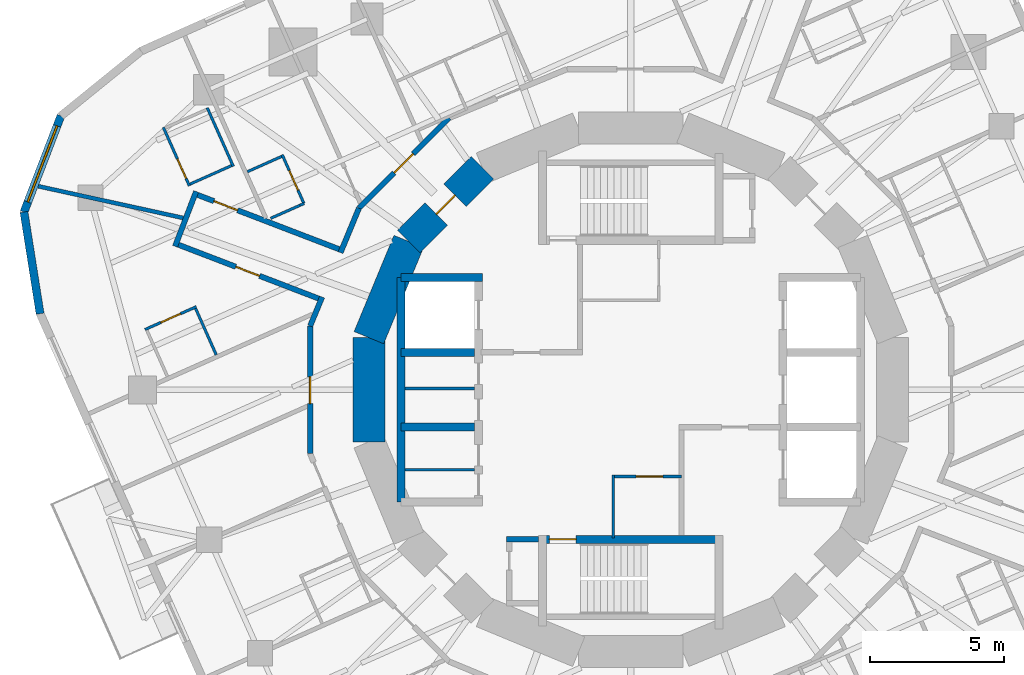
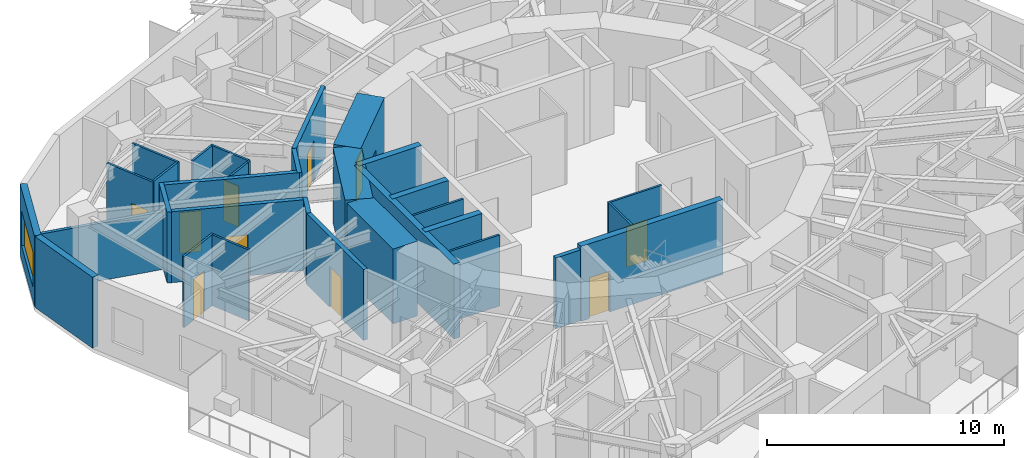
# One storey, part 6 of 12: 32 walls, 10 doors, 1 window, 11 openings.
"""IFC4 building model written with IfcOpenShell, lengths in metres."""

import ifcopenshell
import ifcopenshell.guid

model = None  # the IFC model being written
_history = None  # IfcOwnerHistory: only IFC2X3 demands one
_inside = {}  # id of a spatial element -> (the spatial element, [elements in it])
_under = {}  # id of a project, library or spatial element -> (it, [spatial elements below it])
_declared = {}  # id of a project -> (the project, [libraries it declares])
_typed = {}  # id of a type object -> (the type object, [elements of that type])
_made_of = {}  # id of a material, layer set ... -> (it, [elements and type objects made of it])


def new_model(schema):
    """Start an empty IFC model of exactly this schema.

    Asked for "IFC4X3", IfcOpenShell would pick the latest addendum, in which some entities
    have other attributes; the version numbers below select the first issue.
    IFC2X3 requires an IfcOwnerHistory on every rooted entity: one is made here for all.
    """
    global model, _history
    if schema == "IFC4X3":
        model = ifcopenshell.file(schema_version=(4, 3, 0, 0))
    else:
        model = ifcopenshell.file(schema=schema)
    _inside.clear()
    _under.clear()
    _declared.clear()
    _typed.clear()
    _made_of.clear()
    _history = None
    if model.schema == "IFC2X3":
        org = make("IfcOrganization", Name="unknown")
        user = make(
            "IfcPersonAndOrganization",
            ThePerson=make("IfcPerson", FamilyName="unknown"),
            TheOrganization=org,
        )
        app = make(
            "IfcApplication",
            ApplicationDeveloper=org,
            Version="unknown",
            ApplicationFullName="unknown",
            ApplicationIdentifier="unknown",
        )
        _history = make(
            "IfcOwnerHistory",
            OwningUser=user,
            OwningApplication=app,
            ChangeAction="ADDED",
            CreationDate=0,
        )
    return model


def make(cls, **values):
    """One entity of the class cls with the attributes given. An attribute that is None is left unset."""
    return model.create_entity(
        cls, **{name: value for name, value in values.items() if value is not None}
    )


def rooted(cls, **values):
    """An entity with a GlobalId (a new one), such as an element, a storey or a relation."""
    return make(cls, GlobalId=ifcopenshell.guid.new(), OwnerHistory=_history, **values)


def si_unit(unit_type, name, prefix=None):
    """IfcSIUnit, for example si_unit("LENGTHUNIT", "METRE", prefix="MILLI")."""
    return make("IfcSIUnit", UnitType=unit_type, Prefix=prefix, Name=name)


def assignment(units):
    """IfcUnitAssignment: the units of a project."""
    return None if units is None else make("IfcUnitAssignment", Units=units)


def point(xyz):
    """IfcCartesianPoint."""
    return None if xyz is None else make("IfcCartesianPoint", Coordinates=xyz)


def direction(xyz):
    """IfcDirection."""
    return None if xyz is None else make("IfcDirection", DirectionRatios=xyz)


def frame(location, z_axis=None, x_axis=None):
    """IfcAxis2Placement3D, a coordinate frame: its origin and axes. An axis left out is left unset."""
    return make(
        "IfcAxis2Placement3D",
        Location=point(location),
        Axis=direction(z_axis),
        RefDirection=direction(x_axis),
    )


def frame_2d(location, x_axis=None):
    """IfcAxis2Placement2D, a coordinate frame in the plane: its origin and x axis."""
    return make(
        "IfcAxis2Placement2D", Location=point(location), RefDirection=direction(x_axis)
    )


def origin():
    """The frame at (0, 0, 0) with its axes left unset."""
    return frame((0.0, 0.0, 0.0))


def place(relative_to, where):
    """IfcLocalPlacement: puts the frame where relative to a parent placement (None: the world)."""
    return make(
        "IfcLocalPlacement", PlacementRelTo=relative_to, RelativePlacement=where
    )


def context(
    kind, dimensions, precision=None, world=None, true_north=None, identifier=None
):
    """IfcGeometricRepresentationContext, for example the 3D "Model" context."""
    return make(
        "IfcGeometricRepresentationContext",
        ContextIdentifier=identifier,
        ContextType=kind,
        CoordinateSpaceDimension=dimensions,
        Precision=precision,
        WorldCoordinateSystem=world,
        TrueNorth=true_north,
    )


def subcontext(parent, identifier, kind, view, scale=None):
    """IfcGeometricRepresentationSubContext, for example "Body" below "Model"."""
    return make(
        "IfcGeometricRepresentationSubContext",
        ContextIdentifier=identifier,
        ContextType=kind,
        ParentContext=parent,
        TargetScale=scale,
        TargetView=view,
    )


def project(units=None, contexts=None):
    """IfcProject with its units and contexts."""
    return rooted(
        "IfcProject",
        Name="project",
        RepresentationContexts=contexts,
        UnitsInContext=assignment(units),
    )


def spatial(cls, under=None, at=None, **own):
    """A site, building, storey or space (cls), placed at a placement, below another one or the project."""
    s = rooted(cls, ObjectPlacement=at, **own)
    if under is not None:
        _under.setdefault(under.id(), (under, []))[1].append(s)
    return s


def profile(cls, at=None, kind="AREA", **sizes):
    """A parametric profile (cls). Its sizes go by their IFC names, for example OverallWidth=200.0."""
    return make(cls, ProfileType=kind, Position=at, **sizes)


def rectangle(**sizes):
    """IfcRectangleProfileDef."""
    return profile("IfcRectangleProfileDef", **sizes)


def extrude(swept, where, along, depth):
    """IfcExtrudedAreaSolid: the profile swept, set in the frame where, extruded along a direction by depth."""
    return make(
        "IfcExtrudedAreaSolid",
        SweptArea=swept,
        Position=where,
        ExtrudedDirection=direction(along),
        Depth=depth,
    )


def shape(context_of_items, identifier, shape_type, items):
    """IfcShapeRepresentation: the items that make up one representation, for example the "Body"."""
    return make(
        "IfcShapeRepresentation",
        ContextOfItems=context_of_items,
        RepresentationIdentifier=identifier,
        RepresentationType=shape_type,
        Items=items,
    )


def material(Name=None, Category=None):
    """IfcMaterial."""
    return make("IfcMaterial", Name=Name, Category=Category)


def layer(
    of_material, thickness, ventilated=None, Name=None, Category=None, Priority=None
):
    """IfcMaterialLayer: one layer of a wall or slab, of a material (None: an air gap)."""
    return make(
        "IfcMaterialLayer",
        Material=of_material,
        LayerThickness=thickness,
        IsVentilated=ventilated,
        Name=Name,
        Category=Category,
        Priority=Priority,
    )


def layer_set(layers, Name=None):
    """IfcMaterialLayerSet."""
    return make("IfcMaterialLayerSet", MaterialLayers=layers, LayerSetName=Name)


def made_of(thing, what):
    """Note that an element or type object is made of a material, layer set ...; save() writes the relation."""
    if what is not None:
        _made_of.setdefault(what.id(), (what, []))[1].append(thing)
    return thing


def type_object(cls, material=None, **own):
    """A type object (cls), such as IfcWallType, which elements share."""
    return made_of(rooted(cls, **own), material)


def element(
    cls,
    number,
    at=None,
    inside=None,
    cuts=None,
    type_object=None,
    material=None,
    context=None,
    identifier="Body",
    shape_type=None,
    held_by="IfcProductDefinitionShape",
    body=None,
    shapes=None,
    **own,
):
    """One element of the class cls, such as IfcWall. Its Tag is "e" and its number.

    at: its placement. inside: the storey or other place that contains it. cuts: it is an
    opening in that element (IfcRelVoidsElement). A single representation is given by context,
    identifier, shape_type and body (its items); several are given by shapes. held_by: the class
    of the entity that holds the representations. save() writes the other relations.
    """
    e = rooted(cls, Tag="e%d" % number, ObjectPlacement=at, **own)
    if body is not None:
        shapes = [shape(context, identifier, shape_type, body)]
    if shapes is not None:
        e.Representation = make(held_by, Representations=shapes)
    if inside is not None:
        _inside.setdefault(inside.id(), (inside, []))[1].append(e)
    if cuts is not None:
        rooted(
            "IfcRelVoidsElement", RelatingBuildingElement=cuts, RelatedOpeningElement=e
        )
    if type_object is not None:
        _typed.setdefault(type_object.id(), (type_object, []))[1].append(e)
    return made_of(e, material)


def fill(opening, filler):
    """IfcRelFillsElement: the door or window that sits in an opening."""
    return rooted(
        "IfcRelFillsElement",
        RelatingOpeningElement=opening,
        RelatedBuildingElement=filler,
    )


def aggregate(whole, parts):
    """IfcRelAggregates: a whole, such as a stair, and the parts it consists of."""
    return rooted("IfcRelAggregates", RelatingObject=whole, RelatedObjects=parts)


def save(model, path):
    """Write the relations noted so far, then the file.

    IfcRelAggregates (storeys below a building ...), IfcRelContainedInSpatialStructure (elements
    in a storey), IfcRelDefinesByType, IfcRelAssociatesMaterial and IfcRelDeclares: one each for
    every whole, place, type object, material and project.
    """
    for whole, parts in _under.values():
        aggregate(whole, parts)
    for where, things in _inside.values():
        rooted(
            "IfcRelContainedInSpatialStructure",
            RelatedElements=things,
            RelatingStructure=where,
        )
    for kind, things in _typed.values():
        rooted("IfcRelDefinesByType", RelatedObjects=things, RelatingType=kind)
    for what, things in _made_of.values():
        rooted("IfcRelAssociatesMaterial", RelatedObjects=things, RelatingMaterial=what)
    for by, libraries in _declared.values():
        rooted("IfcRelDeclares", RelatingContext=by, RelatedDefinitions=libraries)
    model.write(path)


model = new_model("IFC4")

# Units and contexts
model_context = context("Model", 3, precision=1e-05, world=origin(), true_north=direction((0.0, 1.0)))
body_context = subcontext(model_context, "Body", "Model", "MODEL_VIEW")
ifc_project = project(units=[si_unit("LENGTHUNIT", "METRE"), si_unit("AREAUNIT", "SQUARE_METRE"), si_unit("VOLUMEUNIT", "CUBIC_METRE"), si_unit("PLANEANGLEUNIT", "RADIAN"), si_unit("MASSUNIT", "GRAM", prefix="KILO")], contexts=[model_context])

# Site, building, storey
site_placement = place(None, origin())
site = spatial("IfcSite", under=ifc_project, at=site_placement, CompositionType="ELEMENT")
building_placement = place(site_placement, origin())
building = spatial("IfcBuilding", under=site, at=building_placement, Name="Nakasero Lantern House", CompositionType="ELEMENT")
storey_placement = place(building_placement, frame((0.0, 0.0, 205.550048828125)))
storey = spatial("IfcBuildingStorey", under=building, at=storey_placement, Name="L50", CompositionType="ELEMENT", Elevation=205.550048828125)

# Walls
ifc_material_1 = material(Name="Concrete C50/60", Category="concrete")
ifc_layer_1 = layer(ifc_material_1, 0.300048828125)
ifc_layer_set_1 = layer_set([ifc_layer_1], Name="Core inner wall 300")
wall_type_1 = type_object("IfcWallType", Name="Core inner wall 300", PredefinedType="SHEAR", material=ifc_layer_set_1)
wall_1_placement = place(storey_placement, frame((-8.60009765625, 4.199951171875, 0.0), z_axis=(0.0, 0.0, 1.0), x_axis=(1.0, 0.0, 0.0)))
element("IfcWall", 1, at=wall_1_placement, inside=storey, type_object=wall_type_1, Name="Core inner wall L50 LWN", PredefinedType="SHEAR", context=body_context, shape_type="SweptSolid", body=[
    extrude(rectangle(XDim=3.050048828125, YDim=0.300048828125, at=frame_2d((1.52490234375, 0.0))), origin(), (0.0, 0.0, 1.0), 3.849853515625),
])
wall_2_placement = place(storey_placement, frame((-8.60009765625, -4.199951171875, 0.0), z_axis=(0.0, 0.0, 1.0), x_axis=(0.0, 1.0, 0.0)))
element("IfcWall", 2, at=wall_2_placement, inside=storey, type_object=wall_type_1, Name="Core inner wall L50 LWB", PredefinedType="SHEAR", context=body_context, shape_type="SweptSolid", body=[
    extrude(rectangle(XDim=8.39990234375, YDim=0.300048828125, at=frame_2d((4.199951171875, 0.0))), origin(), (0.0, 0.0, 1.0), 3.849853515625),
])
for number, where, z_axis, x_axis, name in (
    (3, (-8.60009765625, -1.39990234375, 0.0), (0.0, 0.0, 1.0), (1.0, 0.0, 0.0), "Core inner wall L50 LW1"),
    (4, (-8.60009765625, 1.39990234375, 0.0), (0.0, 0.0, 1.0), (1.0, 0.0, 0.0), "Core inner wall L50 LW2"),
):
    element("IfcWall", number, at=place(storey_placement, frame(where, z_axis=z_axis, x_axis=x_axis)), inside=storey, type_object=wall_type_1, Name=name, PredefinedType="SHEAR", context=body_context, shape_type="SweptSolid", body=[
        extrude(rectangle(XDim=2.75, YDim=0.300048828125, at=frame_2d((1.375, 0.0))), origin(), (0.0, 0.0, 1.0), 3.849853515625),
    ])

# Wall, opening, door
wall_3_placement = place(storey_placement, frame((-3.449951171875, -5.60009765625, 0.0), z_axis=(0.0, 0.0, 1.0), x_axis=(1.0, 0.0, 0.0)))
wall_3 = element("IfcWall", 5, at=wall_3_placement, inside=storey, type_object=wall_type_1, Name="Core inner wall L50 SS", PredefinedType="SHEAR", context=body_context, shape_type="SweptSolid", body=[
    extrude(rectangle(XDim=6.89990234375, YDim=0.300048828125, at=frame_2d((3.449951171875, 0.0))), origin(), (0.0, 0.0, 1.0), 3.849853515625),
])
opening_1_placement = place(wall_3_placement, frame((0.39990234375, 0.0, 0.0)))
opening_1 = element("IfcOpeningElement", 6, at=opening_1_placement, cuts=wall_3, Name="Opening D05", PredefinedType="OPENING", context=body_context, shape_type="SweptSolid", body=[
    extrude(rectangle(XDim=1.0, YDim=2.10009765625, at=frame_2d((0.5, 1.050048828125))), frame((0.0, 0.169921875, 0.0), z_axis=(0.0, -1.0, 0.0), x_axis=(1.0, 0.0, 0.0)), (0.0, 0.0, 1.0), 0.340087890625),
])
ifc_material_2 = material(Name="Timber C24", Category="wood")
door_type_1 = type_object("IfcDoorType", Name="Core door FD60S 1000", OperationType="SINGLE_SWING_LEFT", PredefinedType="DOOR", material=ifc_material_2)
door_1_placement = place(opening_1_placement, origin())
door_1 = element("IfcDoor", 7, at=door_1_placement, inside=storey, type_object=door_type_1, Name="Door L50 D-ST2", OperationType="SINGLE_SWING_LEFT", OverallHeight=2.10009765625, OverallWidth=1.0, PredefinedType="DOOR", context=body_context, shape_type="SweptSolid", body=[
    extrude(rectangle(XDim=1.0, YDim=2.10009765625, at=frame_2d((0.5, 1.050048828125))), frame((0.0, 0.02490234375, 0.0), z_axis=(0.0, -1.0, 0.0), x_axis=(1.0, 0.0, 0.0)), (0.0, 0.0, 1.0), 0.050048828125),
])
fill(opening_1, door_1)

ifc_material_3 = material(Name="Blockwork", Category="masonry")
ifc_layer_2 = layer(ifc_material_3, 0.10009765625)
ifc_layer_set_2 = layer_set([ifc_layer_2], Name="Core room wall 100")
wall_type_2 = type_object("IfcWallType", Name="Core room wall 100", PredefinedType="PARTITIONING", material=ifc_layer_set_2)
wall_4_placement = place(storey_placement, frame((-0.699951171875, -3.25, 0.0), z_axis=(0.0, 0.0, 1.0), x_axis=(1.0, 0.0, 0.0)))
wall_4 = element("IfcWall", 8, at=wall_4_placement, inside=storey, type_object=wall_type_2, Name="Core room wall L50 CR-SWN", PredefinedType="PARTITIONING", context=body_context, shape_type="SweptSolid", body=[
    extrude(rectangle(XDim=2.599853515625, YDim=0.10009765625, at=frame_2d((1.2998046875, 0.0))), origin(), (0.0, 0.0, 1.0), 3.64990234375),
])
opening_2_placement = place(wall_4_placement, frame((0.89990234375, 0.0, 0.0)))
opening_2 = element("IfcOpeningElement", 9, at=opening_2_placement, cuts=wall_4, Name="Opening D07", PredefinedType="OPENING", context=body_context, shape_type="SweptSolid", body=[
    extrude(rectangle(XDim=1.0, YDim=2.10009765625, at=frame_2d((0.5, 1.050048828125))), frame((0.0, 0.070068359375, 0.0), z_axis=(0.0, -1.0, 0.0), x_axis=(1.0, 0.0, 0.0)), (0.0, 0.0, 1.0), 0.14013671875),
])
ifc_material_4 = material(Name="Timber C24", Category="wood")
door_type_2 = type_object("IfcDoorType", Name="Room door FD30S 1000", OperationType="SINGLE_SWING_LEFT", PredefinedType="DOOR", material=ifc_material_4)
door_2_placement = place(opening_2_placement, origin())
door_2 = element("IfcDoor", 10, at=door_2_placement, inside=storey, type_object=door_type_2, Name="Door L50 D-CR-SW", OperationType="SINGLE_SWING_RIGHT", OverallHeight=2.10009765625, OverallWidth=1.0, PredefinedType="DOOR", context=body_context, shape_type="SweptSolid", body=[
    extrude(rectangle(XDim=1.0, YDim=2.10009765625, at=frame_2d((0.5, 1.050048828125))), frame((0.0, 0.02490234375, 0.0), z_axis=(0.0, -1.0, 0.0), x_axis=(1.0, 0.0, 0.0)), (0.0, 0.0, 1.0), 0.050048828125),
])
fill(opening_2, door_2)

# Walls
wall_5_placement = place(storey_placement, frame((-0.64990234375, -5.550048828125, 0.0), z_axis=(0.0, 0.0, 1.0), x_axis=(0.0, 1.0, 0.0)))
element("IfcWall", 11, at=wall_5_placement, inside=storey, type_object=wall_type_2, Name="Core room wall L50 CR-SWW", PredefinedType="PARTITIONING", context=body_context, shape_type="SweptSolid", body=[
    extrude(rectangle(XDim=2.35009765625, YDim=0.10009765625, at=frame_2d((1.175048828125, 0.0))), origin(), (0.0, 0.0, 1.0), 3.64990234375),
])
for number, where, z_axis, x_axis, name in (
    (12, (-8.449951171875, -3.0, 0.0), (0.0, 0.0, 1.0), (1.0, 0.0, 0.0), "Core room wall L50 CR-SH-LW1b"),
    (13, (-8.449951171875, 0.050048828125, 0.0), (0.0, 0.0, 1.0), (1.0, 0.0, 0.0), "Core room wall L50 CR-SH-LW2b"),
):
    element("IfcWall", number, at=place(storey_placement, frame(where, z_axis=z_axis, x_axis=x_axis)), inside=storey, type_object=wall_type_2, Name=name, PredefinedType="PARTITIONING", context=body_context, shape_type="SweptSolid", body=[
        extrude(rectangle(XDim=2.599853515625, YDim=0.10009765625, at=frame_2d((1.2998046875, 0.0))), origin(), (0.0, 0.0, 1.0), 3.64990234375),
    ])

# Wall, opening, door
ifc_material_5 = material(Name="Concrete C50/60", Category="concrete")
ifc_layer_3 = layer(ifc_material_5, 1.199951171875)
ifc_layer_set_3 = layer_set([ifc_layer_3], Name="Core wall 1200")
wall_type_3 = type_object("IfcWallType", Name="Core wall 1200", PredefinedType="SHEAR", material=ifc_layer_set_3)
wall_6_placement = place(storey_placement, frame((-5.5556640625, 8.314697265625, 0.0), z_axis=(0.0, 0.0, 1.0), x_axis=(-0.707106781187, -0.707106781187, 0.0)))
wall_6 = element("IfcWall", 14, at=wall_6_placement, inside=storey, type_object=wall_type_3, Name="Core wall L50 facet 6", PredefinedType="SHEAR", context=body_context, shape_type="SweptSolid", body=[
    extrude(rectangle(XDim=3.90185546875, YDim=1.199951171875, at=frame_2d((1.950927734375, 0.0))), origin(), (0.0, 0.0, 1.0), 3.849853515625),
])
opening_3_placement = place(wall_6_placement, frame((1.450927734375, 0.0, 0.0)))
opening_3 = element("IfcOpeningElement", 15, at=opening_3_placement, cuts=wall_6, Name="Opening D05", PredefinedType="OPENING", context=body_context, shape_type="SweptSolid", body=[
    extrude(rectangle(XDim=1.0, YDim=2.10009765625, at=frame_2d((0.5, 1.050048828125))), frame((0.0, 0.619873046875, 0.0), z_axis=(0.0, -1.0, 0.0), x_axis=(1.0, 0.0, 0.0)), (0.0, 0.0, 1.0), 1.239990234375),
])
door_3_placement = place(opening_3_placement, origin())
door_3 = element("IfcDoor", 16, at=door_3_placement, inside=storey, type_object=door_type_1, Name="Door L50 D-CORE06", OperationType="SINGLE_SWING_LEFT", OverallHeight=2.10009765625, OverallWidth=1.0, PredefinedType="DOOR", context=body_context, shape_type="SweptSolid", body=[
    extrude(rectangle(XDim=1.0, YDim=2.10009765625, at=frame_2d((0.5, 1.050048828125))), frame((0.0, 0.02490234375, 0.0), z_axis=(0.0, -1.0, 0.0), x_axis=(1.0, 0.0, 0.0)), (0.0, 0.0, 1.0), 0.050048828125),
])
fill(opening_3, door_3)

# Walls
for number, where, z_axis, x_axis, name in (
    (17, (-8.314697265625, 5.5556640625, 0.0), (0.0, 0.0, 1.0), (-0.382690736062, -0.923876507187, 0.0), "Core wall L50 facet 7"),
    (18, (-9.807861328125, 1.950927734375, 0.0), (0.0, 0.0, 1.0), (0.0, -1.0, 0.0), "Core wall L50 facet 8"),
):
    element("IfcWall", number, at=place(storey_placement, frame(where, z_axis=z_axis, x_axis=x_axis)), inside=storey, type_object=wall_type_3, Name=name, PredefinedType="SHEAR", context=body_context, shape_type="SweptSolid", body=[
        extrude(rectangle(XDim=3.90185546875, YDim=1.199951171875, at=frame_2d((1.950927734375, 0.0))), origin(), (0.0, 0.0, 1.0), 3.849853515625),
    ])

# Wall, opening, door
ifc_material_6 = material(Name="Blockwork", Category="masonry")
ifc_layer_4 = layer(ifc_material_6, 0.199951171875)
ifc_layer_set_4 = layer_set([ifc_layer_4], Name="Corridor wall 200")
wall_type_4 = type_object("IfcWallType", Name="Corridor wall 200", PredefinedType="PARTITIONING", material=ifc_layer_set_4)
wall_7_placement = place(storey_placement, frame((-12.0078125, -2.388427734375, 0.0), z_axis=(0.0, 0.0, 1.0), x_axis=(0.0, 1.0, 0.0)))
wall_7 = element("IfcWall", 19, at=wall_7_placement, inside=storey, type_object=wall_type_4, Name="Corridor wall L50 RC08a", PredefinedType="PARTITIONING", context=body_context, shape_type="SweptSolid", body=[
    extrude(rectangle(XDim=4.77685546875, YDim=0.199951171875, at=frame_2d((2.388427734375, 0.0))), origin(), (0.0, 0.0, 1.0), 3.64990234375),
])
opening_4_placement = place(wall_7_placement, frame((1.8701171875, 0.0, 0.0)))
opening_4 = element("IfcOpeningElement", 20, at=opening_4_placement, cuts=wall_7, Name="Opening D03", PredefinedType="OPENING", context=body_context, shape_type="SweptSolid", body=[
    extrude(rectangle(XDim=1.0, YDim=2.10009765625, at=frame_2d((0.5, 1.050048828125))), frame((0.0, 0.119873046875, 0.0), z_axis=(0.0, -1.0, 0.0), x_axis=(1.0, 0.0, 0.0)), (0.0, 0.0, 1.0), 0.239990234375),
])
ifc_material_7 = material(Name="Timber C24", Category="wood")
door_type_3 = type_object("IfcDoorType", Name="Lounge door FD30S 1000", OperationType="SINGLE_SWING_LEFT", PredefinedType="DOOR", material=ifc_material_7)
door_4_placement = place(opening_4_placement, origin())
door_4 = element("IfcDoor", 21, at=door_4_placement, inside=storey, type_object=door_type_3, Name="Door L50 DK2", OperationType="SINGLE_SWING_LEFT", OverallHeight=2.10009765625, OverallWidth=1.0, PredefinedType="DOOR", context=body_context, shape_type="SweptSolid", body=[
    extrude(rectangle(XDim=1.0, YDim=2.10009765625, at=frame_2d((0.5, 1.050048828125))), frame((0.0, 0.02490234375, 0.0), z_axis=(0.0, -1.0, 0.0), x_axis=(1.0, 0.0, 0.0)), (0.0, 0.0, 1.0), 0.050048828125),
])
fill(opening_4, door_4)

# Walls
wall_8_placement = place(storey_placement, frame((-12.0078125, 2.388427734375, 0.0), z_axis=(0.0, 0.0, 1.0), x_axis=(0.382694679749, 0.923874873612, 0.0)))
element("IfcWall", 22, at=wall_8_placement, inside=storey, type_object=wall_type_4, Name="Corridor wall L50 RC09a", PredefinedType="PARTITIONING", context=body_context, shape_type="SweptSolid", body=[
    extrude(rectangle(XDim=1.173828125, YDim=0.199951171875, at=frame_2d((0.5869140625, 0.0))), origin(), (0.0, 0.0, 1.0), 3.64990234375),
])
wall_9_placement = place(storey_placement, frame((-10.86962890625, 5.136474609375, 0.0), z_axis=(0.0, 0.0, 1.0), x_axis=(0.382710605355, 0.923868276622, 0.0)))
element("IfcWall", 23, at=wall_9_placement, inside=storey, type_object=wall_type_4, Name="Corridor wall L50 RC09b", PredefinedType="PARTITIONING", context=body_context, shape_type="SweptSolid", body=[
    extrude(rectangle(XDim=1.802734375, YDim=0.199951171875, at=frame_2d((0.9013671875, 0.0))), origin(), (0.0, 0.0, 1.0), 3.64990234375),
])

# Wall, opening, door
wall_10_placement = place(storey_placement, frame((-10.1796875, 6.802001953125, 0.0), z_axis=(0.0, 0.0, 1.0), x_axis=(0.707106781187, 0.707106781187, 0.0)))
wall_10 = element("IfcWall", 24, at=wall_10_placement, inside=storey, type_object=wall_type_4, Name="Corridor wall L50 RC10a", PredefinedType="PARTITIONING", context=body_context, shape_type="SweptSolid", body=[
    extrude(rectangle(XDim=4.77685546875, YDim=0.199951171875, at=frame_2d((2.388427734375, 0.0))), origin(), (0.0, 0.0, 1.0), 3.64990234375),
])
opening_5_placement = place(wall_10_placement, frame((1.8701171875, 0.0, 0.0)))
opening_5 = element("IfcOpeningElement", 25, at=opening_5_placement, cuts=wall_10, Name="Opening D14", PredefinedType="OPENING", context=body_context, shape_type="SweptSolid", body=[
    extrude(rectangle(XDim=1.0, YDim=2.10009765625, at=frame_2d((0.5, 1.050048828125))), frame((0.0, 0.119873046875, 0.0), z_axis=(0.0, -1.0, 0.0), x_axis=(1.0, 0.0, 0.0)), (0.0, 0.0, 1.0), 0.239990234375),
])
ifc_material_8 = material(Name="Timber C24", Category="wood")
door_type_4 = type_object("IfcDoorType", Name="Cluster entrance door FD30S 1000", OperationType="SINGLE_SWING_LEFT", PredefinedType="DOOR", material=ifc_material_8)
door_5_placement = place(opening_5_placement, origin())
door_5 = element("IfcDoor", 26, at=door_5_placement, inside=storey, type_object=door_type_4, Name="Door L50 D1-04", OperationType="SINGLE_SWING_LEFT", OverallHeight=2.10009765625, OverallWidth=1.0, PredefinedType="DOOR", context=body_context, shape_type="SweptSolid", body=[
    extrude(rectangle(XDim=1.0, YDim=2.10009765625, at=frame_2d((0.5, 1.050048828125))), frame((0.0, 0.02490234375, 0.0), z_axis=(0.0, -1.0, 0.0), x_axis=(1.0, 0.0, 0.0)), (0.0, 0.0, 1.0), 0.050048828125),
])
fill(opening_5, door_5)

wall_11_placement = place(storey_placement, frame((-10.831298828125, 5.22900390625, 0.0), z_axis=(0.0, 0.0, 1.0), x_axis=(-0.933584570174, 0.358357154711, 0.0)))
wall_11 = element("IfcWall", 27, at=wall_11_placement, inside=storey, type_object=wall_type_4, Name="Corridor wall L50 SP1a", PredefinedType="PARTITIONING", context=body_context, shape_type="SweptSolid", body=[
    extrude(rectangle(XDim=5.97216796875, YDim=0.199951171875, at=frame_2d((2.986083984375, 0.0))), origin(), (0.0, 0.0, 1.0), 3.64990234375),
])
opening_6_placement = place(wall_11_placement, frame((4.169921875, 0.0, 0.0)))
opening_6 = element("IfcOpeningElement", 28, at=opening_6_placement, cuts=wall_11, Name="Opening D01", PredefinedType="OPENING", context=body_context, shape_type="SweptSolid", body=[
    extrude(rectangle(XDim=0.949951171875, YDim=2.10009765625, at=frame_2d((0.47509765625, 1.050048828125))), frame((0.0, 0.119873046875, 0.0), z_axis=(0.0, -1.0, 0.0), x_axis=(1.0, 0.0, 0.0)), (0.0, 0.0, 1.0), 0.239990234375),
])
ifc_material_9 = material(Name="Timber C24", Category="wood")
door_type_5 = type_object("IfcDoorType", Name="Bedroom door FD30S 950", OperationType="SINGLE_SWING_LEFT", PredefinedType="DOOR", material=ifc_material_9)
door_6_placement = place(opening_6_placement, origin())
door_6 = element("IfcDoor", 29, at=door_6_placement, inside=storey, type_object=door_type_5, Name="Door L50 D1-06", OperationType="SINGLE_SWING_RIGHT", OverallHeight=2.10009765625, OverallWidth=0.949951171875, PredefinedType="DOOR", context=body_context, shape_type="SweptSolid", body=[
    extrude(rectangle(XDim=0.949951171875, YDim=2.10009765625, at=frame_2d((0.47509765625, 1.050048828125))), frame((0.0, 0.02490234375, 0.0), z_axis=(0.0, -1.0, 0.0), x_axis=(1.0, 0.0, 0.0)), (0.0, 0.0, 1.0), 0.050048828125),
])
fill(opening_6, door_6)

wall_12_placement = place(storey_placement, frame((-11.596923828125, 3.380615234375, 0.0), z_axis=(0.0, 0.0, 1.0), x_axis=(-0.933582445172, 0.358362690674, 0.0)))
wall_12 = element("IfcWall", 30, at=wall_12_placement, inside=storey, type_object=wall_type_4, Name="Corridor wall L50 SP1b", PredefinedType="PARTITIONING", context=body_context, shape_type="SweptSolid", body=[
    extrude(rectangle(XDim=5.91943359375, YDim=0.199951171875, at=frame_2d((2.959716796875, 0.0))), origin(), (0.0, 0.0, 1.0), 3.64990234375),
])
opening_7_placement = place(wall_12_placement, frame((2.469970703125, 0.0, 0.0)))
opening_7 = element("IfcOpeningElement", 31, at=opening_7_placement, cuts=wall_12, Name="Opening D01", PredefinedType="OPENING", context=body_context, shape_type="SweptSolid", body=[
    extrude(rectangle(XDim=0.949951171875, YDim=2.10009765625, at=frame_2d((0.47509765625, 1.050048828125))), frame((0.0, 0.119873046875, 0.0), z_axis=(0.0, -1.0, 0.0), x_axis=(1.0, 0.0, 0.0)), (0.0, 0.0, 1.0), 0.239990234375),
])
door_7_placement = place(opening_7_placement, origin())
door_7 = element("IfcDoor", 32, at=door_7_placement, inside=storey, type_object=door_type_5, Name="Door L50 D2-00", OperationType="SINGLE_SWING_LEFT", OverallHeight=2.10009765625, OverallWidth=0.949951171875, PredefinedType="DOOR", context=body_context, shape_type="SweptSolid", body=[
    extrude(rectangle(XDim=0.949951171875, YDim=2.10009765625, at=frame_2d((0.47509765625, 1.050048828125))), frame((0.0, 0.02490234375, 0.0), z_axis=(0.0, -1.0, 0.0), x_axis=(1.0, 0.0, 0.0)), (0.0, 0.0, 1.0), 0.050048828125),
])
fill(opening_7, door_7)

# Wall
wall_13_placement = place(storey_placement, frame((-16.277587890625, 7.426513671875, 0.0), z_axis=(0.0, 0.0, 1.0), x_axis=(-0.358361733464, -0.933582812604, 0.0)))
element("IfcWall", 33, at=wall_13_placement, inside=storey, type_object=wall_type_4, Name="Corridor wall L50 SP1e", PredefinedType="PARTITIONING", context=body_context, shape_type="SweptSolid", body=[
    extrude(rectangle(XDim=2.19970703125, YDim=0.199951171875, at=frame_2d((1.099853515625, 0.0))), origin(), (0.0, 0.0, 1.0), 3.64990234375),
])

# Wall, opening, door
ifc_material_10 = material(Name="Blockwork", Category="masonry")
ifc_layer_5 = layer(ifc_material_10, 0.10009765625)
ifc_layer_set_5 = layer_set([ifc_layer_5], Name="En-suite wall 100")
wall_type_5 = type_object("IfcWallType", Name="En-suite wall 100", PredefinedType="PARTITIONING", material=ifc_layer_set_5)
wall_14_placement = place(storey_placement, frame((-12.23974609375, 6.974853515625, 0.0), z_axis=(0.0, 0.0, 1.0), x_axis=(-0.406727323635, 0.913549606868, 0.0)))
wall_14 = element("IfcWall", 34, at=wall_14_placement, inside=storey, type_object=wall_type_5, Name="En-suite wall L50 ES1-05", PredefinedType="PARTITIONING", context=body_context, shape_type="SweptSolid", body=[
    extrude(rectangle(XDim=2.0, YDim=0.10009765625, at=frame_2d((1.0, 0.0))), origin(), (0.0, 0.0, 1.0), 3.64990234375),
])
opening_8_placement = place(wall_14_placement, frame((0.550048828125, 0.0, 0.0)))
opening_8 = element("IfcOpeningElement", 35, at=opening_8_placement, cuts=wall_14, Name="Opening D02", PredefinedType="OPENING", context=body_context, shape_type="SweptSolid", body=[
    extrude(rectangle(XDim=0.800048828125, YDim=2.10009765625, at=frame_2d((0.39990234375, 1.050048828125))), frame((0.0, 0.070068359375, 0.0), z_axis=(0.0, -1.0, 0.0), x_axis=(1.0, 0.0, 0.0)), (0.0, 0.0, 1.0), 0.14013671875),
])
ifc_material_11 = material(Name="Timber C24", Category="wood")
door_type_6 = type_object("IfcDoorType", Name="En-suite door 800", OperationType="SINGLE_SWING_RIGHT", PredefinedType="DOOR", material=ifc_material_11)
door_8_placement = place(opening_8_placement, origin())
door_8 = element("IfcDoor", 36, at=door_8_placement, inside=storey, type_object=door_type_6, Name="Door L50 DE1-05", OperationType="SINGLE_SWING_LEFT", OverallHeight=2.10009765625, OverallWidth=0.800048828125, PredefinedType="DOOR", context=body_context, shape_type="SweptSolid", body=[
    extrude(rectangle(XDim=0.800048828125, YDim=2.10009765625, at=frame_2d((0.39990234375, 1.050048828125))), frame((0.0, 0.02490234375, 0.0), z_axis=(0.0, -1.0, 0.0), x_axis=(1.0, 0.0, 0.0)), (0.0, 0.0, 1.0), 0.050048828125),
])
fill(opening_8, door_8)

# Wall
wall_15_placement = place(storey_placement, frame((-13.07861328125, 8.736083984375, 0.0), z_axis=(0.0, 0.0, 1.0), x_axis=(-0.9135164993, -0.406801678348, 0.0)))
element("IfcWall", 37, at=wall_15_placement, inside=storey, type_object=wall_type_5, Name="En-suite wall L50 EE1-05", PredefinedType="PARTITIONING", context=body_context, shape_type="SweptSolid", body=[
    extrude(rectangle(XDim=1.400146484375, YDim=0.10009765625, at=frame_2d((0.7001953125, 0.0))), origin(), (0.0, 0.0, 1.0), 3.64990234375),
])

# Wall, opening, door
wall_16_placement = place(storey_placement, frame((-16.530029296875, 7.63720703125, 0.0), z_axis=(0.0, 0.0, 1.0), x_axis=(-0.406808500233, 0.913513461389, 0.0)))
wall_16 = element("IfcWall", 38, at=wall_16_placement, inside=storey, type_object=wall_type_5, Name="En-suite wall L50 ES1-06", PredefinedType="PARTITIONING", context=body_context, shape_type="SweptSolid", body=[
    extrude(rectangle(XDim=2.39990234375, YDim=0.10009765625, at=frame_2d((1.199951171875, 0.0))), origin(), (0.0, 0.0, 1.0), 3.64990234375),
])
opening_9_placement = place(wall_16_placement, frame((0.300048828125, 0.0, 0.0)))
opening_9 = element("IfcOpeningElement", 39, at=opening_9_placement, cuts=wall_16, Name="Opening D02", PredefinedType="OPENING", context=body_context, shape_type="SweptSolid", body=[
    extrude(rectangle(XDim=0.800048828125, YDim=2.10009765625, at=frame_2d((0.39990234375, 1.050048828125))), frame((0.0, 0.070068359375, 0.0), z_axis=(0.0, -1.0, 0.0), x_axis=(1.0, 0.0, 0.0)), (0.0, 0.0, 1.0), 0.14013671875),
])
door_9_placement = place(opening_9_placement, origin())
door_9 = element("IfcDoor", 40, at=door_9_placement, inside=storey, type_object=door_type_6, Name="Door L50 DE1-06", OperationType="SINGLE_SWING_LEFT", OverallHeight=2.10009765625, OverallWidth=0.800048828125, PredefinedType="DOOR", context=body_context, shape_type="SweptSolid", body=[
    extrude(rectangle(XDim=0.800048828125, YDim=2.10009765625, at=frame_2d((0.39990234375, 1.050048828125))), frame((0.0, 0.02490234375, 0.0), z_axis=(0.0, -1.0, 0.0), x_axis=(1.0, 0.0, 0.0)), (0.0, 0.0, 1.0), 0.050048828125),
])
fill(opening_9, door_9)

# Walls
wall_17_placement = place(storey_placement, frame((-14.8857421875, 8.369384765625, 0.0), z_axis=(0.0, 0.0, 1.0), x_axis=(-0.406723602621, 0.913551263516, 0.0)))
element("IfcWall", 41, at=wall_17_placement, inside=storey, type_object=wall_type_5, Name="En-suite wall L50 EV1-06", PredefinedType="PARTITIONING", context=body_context, shape_type="SweptSolid", body=[
    extrude(rectangle(XDim=2.39990234375, YDim=0.10009765625, at=frame_2d((1.199951171875, 0.0))), origin(), (0.0, 0.0, 1.0), 3.64990234375),
])
wall_18_placement = place(storey_placement, frame((-14.95166015625, 8.39453125, 0.0), z_axis=(0.0, 0.0, 1.0), x_axis=(-0.913550776237, -0.406724697108, 0.0)))
element("IfcWall", 42, at=wall_18_placement, inside=storey, type_object=wall_type_5, Name="En-suite wall L50 EI1-06", PredefinedType="PARTITIONING", context=body_context, shape_type="SweptSolid", body=[
    extrude(rectangle(XDim=1.699951171875, YDim=0.10009765625, at=frame_2d((0.85009765625, 0.0))), origin(), (0.0, 0.0, 1.0), 3.64990234375),
])

# Wall, opening, door
wall_19_placement = place(storey_placement, frame((-16.27197265625, 3.11083984375, 0.0), z_axis=(0.0, 0.0, 1.0), x_axis=(-0.913528480824, -0.406774771494, 0.0)))
wall_19 = element("IfcWall", 43, at=wall_19_placement, inside=storey, type_object=wall_type_5, Name="En-suite wall L50 ES2-00", PredefinedType="PARTITIONING", context=body_context, shape_type="SweptSolid", body=[
    extrude(rectangle(XDim=2.10009765625, YDim=0.10009765625, at=frame_2d((1.050048828125, 0.0))), origin(), (0.0, 0.0, 1.0), 3.64990234375),
])
opening_10_placement = place(wall_19_placement, frame((0.64990234375, 0.0, 0.0)))
opening_10 = element("IfcOpeningElement", 44, at=opening_10_placement, cuts=wall_19, Name="Opening D02", PredefinedType="OPENING", context=body_context, shape_type="SweptSolid", body=[
    extrude(rectangle(XDim=0.800048828125, YDim=2.10009765625, at=frame_2d((0.39990234375, 1.050048828125))), frame((0.0, 0.070068359375, 0.0), z_axis=(0.0, -1.0, 0.0), x_axis=(1.0, 0.0, 0.0)), (0.0, 0.0, 1.0), 0.14013671875),
])
door_10_placement = place(opening_10_placement, origin())
door_10 = element("IfcDoor", 45, at=door_10_placement, inside=storey, type_object=door_type_6, Name="Door L50 DE2-00", OperationType="SINGLE_SWING_RIGHT", OverallHeight=2.10009765625, OverallWidth=0.800048828125, PredefinedType="DOOR", context=body_context, shape_type="SweptSolid", body=[
    extrude(rectangle(XDim=0.800048828125, YDim=2.10009765625, at=frame_2d((0.39990234375, 1.050048828125))), frame((0.0, 0.02490234375, 0.0), z_axis=(0.0, -1.0, 0.0), x_axis=(1.0, 0.0, 0.0)), (0.0, 0.0, 1.0), 0.050048828125),
])
fill(opening_10, door_10)

# Walls
wall_20_placement = place(storey_placement, frame((-16.29736328125, 3.044677734375, 0.0), z_axis=(0.0, 0.0, 1.0), x_axis=(0.406722623293, -0.913551699523, 0.0)))
element("IfcWall", 46, at=wall_20_placement, inside=storey, type_object=wall_type_5, Name="En-suite wall L50 EI2-00", PredefinedType="PARTITIONING", context=body_context, shape_type="SweptSolid", body=[
    extrude(rectangle(XDim=1.89990234375, YDim=0.10009765625, at=frame_2d((0.949951171875, 0.0))), origin(), (0.0, 0.0, 1.0), 3.64990234375),
])
wall_21_placement = place(storey_placement, frame((-13.48681640625, 6.419677734375, 0.0), z_axis=(0.0, 0.0, 1.0), x_axis=(0.913510535277, 0.406815070933, 0.0)))
element("IfcWall", 47, at=wall_21_placement, inside=storey, type_object=wall_type_5, Name="En-suite wall L50 EX001", PredefinedType="PARTITIONING", context=body_context, shape_type="SweptSolid", body=[
    extrude(rectangle(XDim=1.205078125, YDim=0.10009765625, at=frame_2d((0.6025390625, 0.0))), origin(), (0.0, 0.0, 1.0), 3.64990234375),
])
wall_22_placement = place(storey_placement, frame((-12.23974609375, 6.974853515625, 0.0), z_axis=(0.0, 0.0, 1.0), x_axis=(-0.913937341612, -0.405855313637, 0.0)))
element("IfcWall", 48, at=wall_22_placement, inside=storey, type_object=wall_type_5, Name="En-suite wall L50 ES1-05R0", PredefinedType="PARTITIONING", context=body_context, shape_type="SweptSolid", body=[
    extrude(rectangle(XDim=0.159912109375, YDim=0.10009765625, at=frame_2d((0.080078125, 0.0))), origin(), (0.0, 0.0, 1.0), 3.64990234375),
])

# Wall, opening, window
ifc_material_12 = material(Name="Aluminium rainscreen on blockwork", Category="masonry")
ifc_layer_6 = layer(ifc_material_12, 0.300048828125)
ifc_layer_set_6 = layer_set([ifc_layer_6], Name="Facade wall 300")
wall_type_6 = type_object("IfcWallType", Name="Facade wall 300", PredefinedType="SOLIDWALL", material=ifc_layer_set_6)
wall_23_placement = place(storey_placement, frame((-21.342529296875, 10.258056640625, 0.0), z_axis=(0.0, 0.0, 1.0), x_axis=(-0.358321438858, -0.933598278948, 0.0)))
wall_23 = element("IfcWall", 49, at=wall_23_placement, inside=storey, type_object=wall_type_6, Name="Facade wall L50 FW1C2", PredefinedType="SOLIDWALL", context=body_context, shape_type="SweptSolid", body=[
    extrude(rectangle(XDim=3.8564453125, YDim=0.300048828125, at=frame_2d((1.92822265625, 0.0))), origin(), (0.0, 0.0, 1.0), 3.64990234375),
])
opening_11_placement = place(wall_23_placement, frame((0.39990234375, 0.0, 0.75)))
opening_11 = element("IfcOpeningElement", 50, at=opening_11_placement, cuts=wall_23, Name="Opening W230", PredefinedType="OPENING", context=body_context, shape_type="SweptSolid", body=[
    extrude(rectangle(XDim=3.055908203125, YDim=1.800048828125, at=frame_2d((1.52783203125, 0.89990234375))), frame((0.0, 0.169921875, 0.0), z_axis=(0.0, -1.0, 0.0), x_axis=(1.0, 0.0, 0.0)), (0.0, 0.0, 1.0), 0.340087890625),
])
ifc_material_13 = material(Name="Aluminium 6063-T6 and glass", Category="aluminium")
window_type = type_object("IfcWindowType", Name="Corner window 3056x1800", PartitioningType="SINGLE_PANEL", PredefinedType="WINDOW", material=ifc_material_13)
window_placement = place(opening_11_placement, origin())
window = element("IfcWindow", 51, at=window_placement, inside=storey, type_object=window_type, Name="Window L50 WC1", OverallHeight=1.800048828125, OverallWidth=3.055908203125, PartitioningType="SINGLE_PANEL", PredefinedType="WINDOW", context=body_context, shape_type="SweptSolid", body=[
    extrude(rectangle(XDim=3.055908203125, YDim=1.800048828125, at=frame_2d((1.52783203125, 0.89990234375))), frame((0.0, 0.030029296875, 0.0), z_axis=(0.0, -1.0, 0.0), x_axis=(1.0, 0.0, 0.0)), (0.0, 0.0, 1.0), 0.06005859375),
])
fill(opening_11, window)

# Walls
wall_24_placement = place(storey_placement, frame((-22.724365234375, 6.65771484375, 0.0), z_axis=(0.0, 0.0, 1.0), x_axis=(0.156437203878, -0.987687906802, 0.0)))
element("IfcWall", 52, at=wall_24_placement, inside=storey, type_object=wall_type_6, Name="Facade wall L50 FW1C3", PredefinedType="SOLIDWALL", context=body_context, shape_type="SweptSolid", body=[
    extrude(rectangle(XDim=3.856201171875, YDim=0.300048828125, at=frame_2d((1.92822265625, 0.0))), origin(), (0.0, 0.0, 1.0), 3.64990234375),
])
ifc_material_14 = material(Name="Blockwork", Category="masonry")
ifc_layer_7 = layer(ifc_material_14, 0.199951171875)
ifc_layer_set_7 = layer_set([ifc_layer_7], Name="Fire lobby wall 200")
wall_type_7 = type_object("IfcWallType", Name="Fire lobby wall 200", PredefinedType="PARTITIONING", material=ifc_layer_set_7)
wall_25_placement = place(storey_placement, frame((-3.449951171875, -5.60009765625, 0.0), z_axis=(0.0, 0.0, 1.0), x_axis=(-1.0, 0.0, 0.0)))
element("IfcWall", 53, at=wall_25_placement, inside=storey, type_object=wall_type_7, Name="Fire lobby wall L50 W-RS2N", PredefinedType="PARTITIONING", context=body_context, shape_type="SweptSolid", body=[
    extrude(rectangle(XDim=1.199951171875, YDim=0.199951171875, at=frame_2d((0.60009765625, 0.0))), origin(), (0.0, 0.0, 1.0), 3.64990234375),
])
ifc_material_15 = material(Name="Blockwork", Category="masonry")
ifc_layer_8 = layer(ifc_material_15, 0.14990234375)
ifc_layer_set_8 = layer_set([ifc_layer_8], Name="Party wall 150")
wall_type_8 = type_object("IfcWallType", Name="Party wall 150", PredefinedType="PARTITIONING", material=ifc_layer_set_8)
wall_26_placement = place(storey_placement, frame((-16.76513671875, 6.435546875, 0.0), z_axis=(0.0, 0.0, 1.0), x_axis=(-0.976891696422, 0.213734913997, 0.0)))
element("IfcWall", 54, at=wall_26_placement, inside=storey, type_object=wall_type_8, Name="Party wall L50 PW2-00", PredefinedType="PARTITIONING", context=body_context, shape_type="SweptSolid", body=[
    extrude(rectangle(XDim=5.55126953125, YDim=0.14990234375, at=frame_2d((2.775634765625, 0.0))), origin(), (0.0, 0.0, 1.0), 2.966552734375),
])

save(model, "model.ifc")
